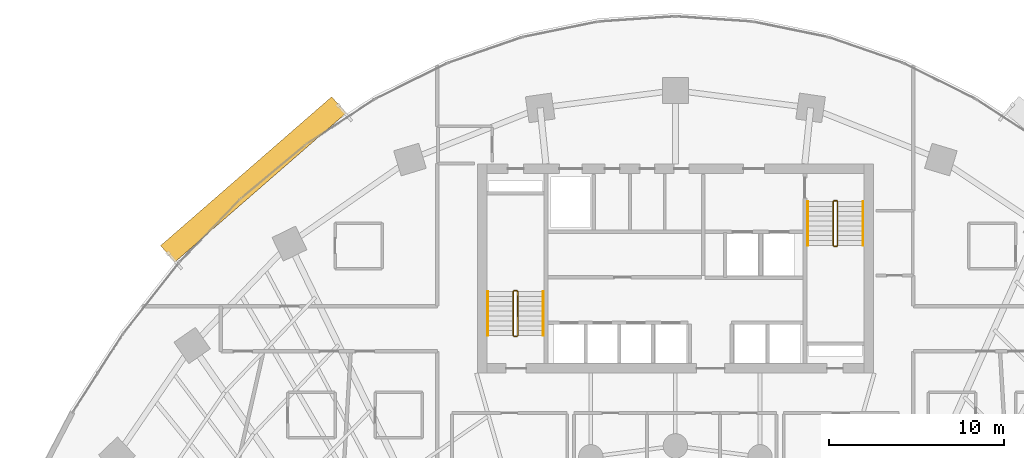
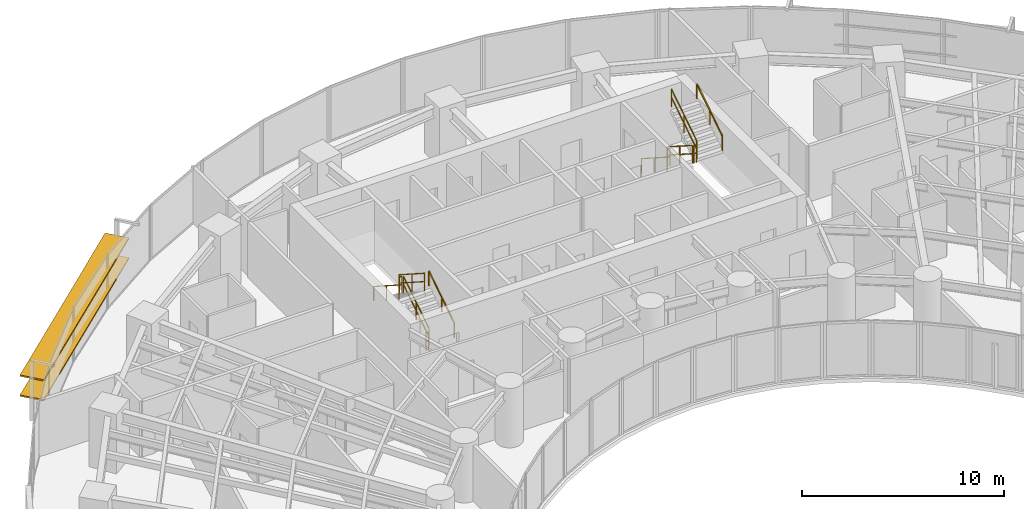
# One storey, part 16 of 17: 12 railings, 2 shading devices.
"""IFC4 building model written with IfcOpenShell, lengths in metres."""

import ifcopenshell
import ifcopenshell.guid

model = None  # the IFC model being written
_history = None  # IfcOwnerHistory: only IFC2X3 demands one
_inside = {}  # id of a spatial element -> (the spatial element, [elements in it])
_under = {}  # id of a project, library or spatial element -> (it, [spatial elements below it])
_declared = {}  # id of a project -> (the project, [libraries it declares])
_typed = {}  # id of a type object -> (the type object, [elements of that type])
_made_of = {}  # id of a material, layer set ... -> (it, [elements and type objects made of it])


def new_model(schema):
    """Start an empty IFC model of exactly this schema.

    Asked for "IFC4X3", IfcOpenShell would pick the latest addendum, in which some entities
    have other attributes; the version numbers below select the first issue.
    IFC2X3 requires an IfcOwnerHistory on every rooted entity: one is made here for all.
    """
    global model, _history
    if schema == "IFC4X3":
        model = ifcopenshell.file(schema_version=(4, 3, 0, 0))
    else:
        model = ifcopenshell.file(schema=schema)
    _inside.clear()
    _under.clear()
    _declared.clear()
    _typed.clear()
    _made_of.clear()
    _history = None
    if model.schema == "IFC2X3":
        org = make("IfcOrganization", Name="unknown")
        user = make(
            "IfcPersonAndOrganization",
            ThePerson=make("IfcPerson", FamilyName="unknown"),
            TheOrganization=org,
        )
        app = make(
            "IfcApplication",
            ApplicationDeveloper=org,
            Version="unknown",
            ApplicationFullName="unknown",
            ApplicationIdentifier="unknown",
        )
        _history = make(
            "IfcOwnerHistory",
            OwningUser=user,
            OwningApplication=app,
            ChangeAction="ADDED",
            CreationDate=0,
        )
    return model


def make(cls, **values):
    """One entity of the class cls with the attributes given. An attribute that is None is left unset."""
    return model.create_entity(
        cls, **{name: value for name, value in values.items() if value is not None}
    )


def rooted(cls, **values):
    """An entity with a GlobalId (a new one), such as an element, a storey or a relation."""
    return make(cls, GlobalId=ifcopenshell.guid.new(), OwnerHistory=_history, **values)


def si_unit(unit_type, name, prefix=None):
    """IfcSIUnit, for example si_unit("LENGTHUNIT", "METRE", prefix="MILLI")."""
    return make("IfcSIUnit", UnitType=unit_type, Prefix=prefix, Name=name)


def assignment(units):
    """IfcUnitAssignment: the units of a project."""
    return None if units is None else make("IfcUnitAssignment", Units=units)


def point(xyz):
    """IfcCartesianPoint."""
    return None if xyz is None else make("IfcCartesianPoint", Coordinates=xyz)


def direction(xyz):
    """IfcDirection."""
    return None if xyz is None else make("IfcDirection", DirectionRatios=xyz)


def frame(location, z_axis=None, x_axis=None):
    """IfcAxis2Placement3D, a coordinate frame: its origin and axes. An axis left out is left unset."""
    return make(
        "IfcAxis2Placement3D",
        Location=point(location),
        Axis=direction(z_axis),
        RefDirection=direction(x_axis),
    )


def frame_2d(location, x_axis=None):
    """IfcAxis2Placement2D, a coordinate frame in the plane: its origin and x axis."""
    return make(
        "IfcAxis2Placement2D", Location=point(location), RefDirection=direction(x_axis)
    )


def origin():
    """The frame at (0, 0, 0) with its axes left unset."""
    return frame((0.0, 0.0, 0.0))


def origin_2d():
    """The frame at (0, 0) in the plane with its x axis left unset."""
    return frame_2d((0.0, 0.0))


def place(relative_to, where):
    """IfcLocalPlacement: puts the frame where relative to a parent placement (None: the world)."""
    return make(
        "IfcLocalPlacement", PlacementRelTo=relative_to, RelativePlacement=where
    )


def context(
    kind, dimensions, precision=None, world=None, true_north=None, identifier=None
):
    """IfcGeometricRepresentationContext, for example the 3D "Model" context."""
    return make(
        "IfcGeometricRepresentationContext",
        ContextIdentifier=identifier,
        ContextType=kind,
        CoordinateSpaceDimension=dimensions,
        Precision=precision,
        WorldCoordinateSystem=world,
        TrueNorth=true_north,
    )


def subcontext(parent, identifier, kind, view, scale=None):
    """IfcGeometricRepresentationSubContext, for example "Body" below "Model"."""
    return make(
        "IfcGeometricRepresentationSubContext",
        ContextIdentifier=identifier,
        ContextType=kind,
        ParentContext=parent,
        TargetScale=scale,
        TargetView=view,
    )


def project(units=None, contexts=None):
    """IfcProject with its units and contexts."""
    return rooted(
        "IfcProject",
        Name="project",
        RepresentationContexts=contexts,
        UnitsInContext=assignment(units),
    )


def spatial(cls, under=None, at=None, **own):
    """A site, building, storey or space (cls), placed at a placement, below another one or the project."""
    s = rooted(cls, ObjectPlacement=at, **own)
    if under is not None:
        _under.setdefault(under.id(), (under, []))[1].append(s)
    return s


def profile(cls, at=None, kind="AREA", **sizes):
    """A parametric profile (cls). Its sizes go by their IFC names, for example OverallWidth=200.0."""
    return make(cls, ProfileType=kind, Position=at, **sizes)


def rectangle(**sizes):
    """IfcRectangleProfileDef."""
    return profile("IfcRectangleProfileDef", **sizes)


def extrude(swept, where, along, depth):
    """IfcExtrudedAreaSolid: the profile swept, set in the frame where, extruded along a direction by depth."""
    return make(
        "IfcExtrudedAreaSolid",
        SweptArea=swept,
        Position=where,
        ExtrudedDirection=direction(along),
        Depth=depth,
    )


def shape(context_of_items, identifier, shape_type, items):
    """IfcShapeRepresentation: the items that make up one representation, for example the "Body"."""
    return make(
        "IfcShapeRepresentation",
        ContextOfItems=context_of_items,
        RepresentationIdentifier=identifier,
        RepresentationType=shape_type,
        Items=items,
    )


def source(mapping_origin, context_of_items, identifier, shape_type, items):
    """IfcRepresentationMap: a shape defined once, which mapped items show again and again."""
    return make(
        "IfcRepresentationMap",
        MappingOrigin=mapping_origin,
        MappedRepresentation=shape(context_of_items, identifier, shape_type, items),
    )


def transform(
    local_origin,
    x_axis=None,
    y_axis=None,
    z_axis=None,
    scale=None,
    scale2=None,
    scale3=None,
    uniform=True,
):
    """IfcCartesianTransformationOperator3D, or its non-uniform kind. x_axis, y_axis, z_axis: its Axis1, 2, 3."""
    if uniform:
        return make(
            "IfcCartesianTransformationOperator3D",
            Axis1=direction(x_axis),
            Axis2=direction(y_axis),
            LocalOrigin=point(local_origin),
            Scale=scale,
            Axis3=direction(z_axis),
        )
    return make(
        "IfcCartesianTransformationOperator3DnonUniform",
        Axis1=direction(x_axis),
        Axis2=direction(y_axis),
        LocalOrigin=point(local_origin),
        Scale=scale,
        Axis3=direction(z_axis),
        Scale2=scale2,
        Scale3=scale3,
    )


def mapped(mapping_source, mapping_target):
    """IfcMappedItem: shows the shape of a source again, moved by a transform."""
    return make(
        "IfcMappedItem", MappingSource=mapping_source, MappingTarget=mapping_target
    )


def material(Name=None, Category=None):
    """IfcMaterial."""
    return make("IfcMaterial", Name=Name, Category=Category)


def material_profile(
    of_material, cross_section, Name=None, Category=None, Priority=None
):
    """IfcMaterialProfile: a cross section and its material."""
    return make(
        "IfcMaterialProfile",
        Name=Name,
        Material=of_material,
        Profile=cross_section,
        Priority=Priority,
        Category=Category,
    )


def profile_set(profiles, Name=None, composite=None):
    """IfcMaterialProfileSet."""
    return make(
        "IfcMaterialProfileSet",
        Name=Name,
        MaterialProfiles=profiles,
        CompositeProfile=composite,
    )


def made_of(thing, what):
    """Note that an element or type object is made of a material, layer set ...; save() writes the relation."""
    if what is not None:
        _made_of.setdefault(what.id(), (what, []))[1].append(thing)
    return thing


def type_object(cls, material=None, **own):
    """A type object (cls), such as IfcWallType, which elements share."""
    return made_of(rooted(cls, **own), material)


def type_shapes(of_type, sources):
    """Give a type object the sources (RepresentationMaps) that its elements show as mapped items."""
    of_type.RepresentationMaps = sources


def element(
    cls,
    number,
    at=None,
    inside=None,
    cuts=None,
    type_object=None,
    material=None,
    context=None,
    identifier="Body",
    shape_type=None,
    held_by="IfcProductDefinitionShape",
    body=None,
    shapes=None,
    **own,
):
    """One element of the class cls, such as IfcWall. Its Tag is "e" and its number.

    at: its placement. inside: the storey or other place that contains it. cuts: it is an
    opening in that element (IfcRelVoidsElement). A single representation is given by context,
    identifier, shape_type and body (its items); several are given by shapes. held_by: the class
    of the entity that holds the representations. save() writes the other relations.
    """
    e = rooted(cls, Tag="e%d" % number, ObjectPlacement=at, **own)
    if body is not None:
        shapes = [shape(context, identifier, shape_type, body)]
    if shapes is not None:
        e.Representation = make(held_by, Representations=shapes)
    if inside is not None:
        _inside.setdefault(inside.id(), (inside, []))[1].append(e)
    if cuts is not None:
        rooted(
            "IfcRelVoidsElement", RelatingBuildingElement=cuts, RelatedOpeningElement=e
        )
    if type_object is not None:
        _typed.setdefault(type_object.id(), (type_object, []))[1].append(e)
    return made_of(e, material)


def aggregate(whole, parts):
    """IfcRelAggregates: a whole, such as a stair, and the parts it consists of."""
    return rooted("IfcRelAggregates", RelatingObject=whole, RelatedObjects=parts)


def save(model, path):
    """Write the relations noted so far, then the file.

    IfcRelAggregates (storeys below a building ...), IfcRelContainedInSpatialStructure (elements
    in a storey), IfcRelDefinesByType, IfcRelAssociatesMaterial and IfcRelDeclares: one each for
    every whole, place, type object, material and project.
    """
    for whole, parts in _under.values():
        aggregate(whole, parts)
    for where, things in _inside.values():
        rooted(
            "IfcRelContainedInSpatialStructure",
            RelatedElements=things,
            RelatingStructure=where,
        )
    for kind, things in _typed.values():
        rooted("IfcRelDefinesByType", RelatedObjects=things, RelatingType=kind)
    for what, things in _made_of.values():
        rooted("IfcRelAssociatesMaterial", RelatedObjects=things, RelatingMaterial=what)
    for by, libraries in _declared.values():
        rooted("IfcRelDeclares", RelatingContext=by, RelatedDefinitions=libraries)
    model.write(path)


model = new_model("IFC4")

# Units and contexts
model_context = context("Model", 3, precision=1e-05, world=origin(), true_north=direction((0.0, 1.0)))
body_context = subcontext(model_context, "Body", "Model", "MODEL_VIEW")
ifc_project = project(units=[si_unit("LENGTHUNIT", "METRE"), si_unit("AREAUNIT", "SQUARE_METRE"), si_unit("VOLUMEUNIT", "CUBIC_METRE"), si_unit("PLANEANGLEUNIT", "RADIAN"), si_unit("MASSUNIT", "GRAM", prefix="KILO")], contexts=[model_context])

# Site, building, storey
site_placement = place(None, origin())
site = spatial("IfcSite", under=ifc_project, at=site_placement, CompositionType="ELEMENT")
building_placement = place(site_placement, origin())
building = spatial("IfcBuilding", under=site, at=building_placement, Name="Breltana Convention Tower", CompositionType="ELEMENT")
storey_placement = place(building_placement, frame((0.0, 0.0, 78.60009765625)))
storey = spatial("IfcBuildingStorey", under=building, at=storey_placement, Name="L18", CompositionType="ELEMENT", Elevation=78.60009765625)

# Railings
ifc_material_1 = material(Name="Steel S275 Painted", Category="steel")
railing_type_1 = type_object("IfcRailingType", Name="RL-STAIR-GUARD-1100", PredefinedType="GUARDRAIL", material=ifc_material_1)
railing_1_placement = place(storey_placement, frame((38.9599609375, 62.360107421875, 0.179931640625)))
element("IfcRailing", 1, at=railing_1_placement, inside=storey, type_object=railing_type_1, Name="L18 ST-1 stair guard 1", PredefinedType="GUARDRAIL", context=body_context, shape_type="SweptSolid", body=[
    extrude(rectangle(XDim=0.048095703125, YDim=0.048095703125, at=origin_2d()), frame((0.0, 0.0, 1.076171875), z_axis=(0.0, 0.841175827307, 0.540761710511), x_axis=(-1.0, 0.0, 0.0)), (0.0, 0.0, 1.0), 2.99560546875),
    extrude(rectangle(XDim=0.048095703125, YDim=0.048095703125, at=origin_2d()), frame((0.0, 0.0, 0.572021484375), z_axis=(0.0, 0.841175827307, 0.540761710511), x_axis=(-1.0, 0.0, 0.0)), (0.0, 0.0, 1.0), 2.99560546875),
    extrude(rectangle(XDim=0.0419921875, YDim=0.0419921875, at=origin_2d()), origin(), (0.0, 0.0, 1.0), 1.052001953125),
    extrude(rectangle(XDim=0.0419921875, YDim=0.0419921875, at=origin_2d()), frame((0.0, 1.259765625, 0.81005859375)), (0.0, 0.0, 1.0), 1.052001953125),
    extrude(rectangle(XDim=0.0419921875, YDim=0.0419921875, at=origin_2d()), frame((0.0, 2.519775390625, 1.619873046875)), (0.0, 0.0, 1.0), 1.052001953125),
])
railing_2_placement = place(storey_placement, frame((38.909912109375, 64.929931640625, 1.7998046875)))
element("IfcRailing", 2, at=railing_2_placement, inside=storey, type_object=railing_type_1, Name="L18 ST-1 stair guard 2", PredefinedType="GUARDRAIL", context=body_context, shape_type="SweptSolid", body=[
    extrude(rectangle(XDim=0.048095703125, YDim=0.048095703125, at=origin_2d()), frame((0.0, 0.0, 1.076171875), z_axis=(-1.0, 0.0, 0.0), x_axis=(0.0, -1.0, 0.0)), (0.0, 0.0, 1.0), 0.14990234375),
    extrude(rectangle(XDim=0.048095703125, YDim=0.048095703125, at=origin_2d()), frame((0.0, 0.0, 0.572021484375), z_axis=(-1.0, 0.0, 0.0), x_axis=(0.0, -1.0, 0.0)), (0.0, 0.0, 1.0), 0.14990234375),
    extrude(rectangle(XDim=0.0419921875, YDim=0.0419921875, at=origin_2d()), origin(), (0.0, 0.0, 1.0), 1.052001953125),
    extrude(rectangle(XDim=0.0419921875, YDim=0.0419921875, at=origin_2d()), frame((-0.14990234375, 0.0, 0.0)), (0.0, 0.0, 1.0), 1.052001953125),
])
railing_3_placement = place(storey_placement, frame((38.7099609375, 64.8798828125, 1.97998046875)))
element("IfcRailing", 3, at=railing_3_placement, inside=storey, type_object=railing_type_1, Name="L18 ST-1 stair guard 3", PredefinedType="GUARDRAIL", context=body_context, shape_type="SweptSolid", body=[
    extrude(rectangle(XDim=0.048095703125, YDim=0.048095703125, at=origin_2d()), frame((0.0, 0.0, 1.076171875), z_axis=(0.0, -0.841175827307, 0.540761710511), x_axis=(1.0, 0.0, 0.0)), (0.0, 0.0, 1.0), 2.99560546875),
    extrude(rectangle(XDim=0.048095703125, YDim=0.048095703125, at=origin_2d()), frame((0.0, 0.0, 0.572021484375), z_axis=(0.0, -0.841175827307, 0.540761710511), x_axis=(1.0, 0.0, 0.0)), (0.0, 0.0, 1.0), 2.99560546875),
    extrude(rectangle(XDim=0.0419921875, YDim=0.0419921875, at=origin_2d()), origin(), (0.0, 0.0, 1.0), 1.052001953125),
    extrude(rectangle(XDim=0.0419921875, YDim=0.0419921875, at=origin_2d()), frame((0.0, -1.259765625, 0.81005859375)), (0.0, 0.0, 1.0), 1.052001953125),
    extrude(rectangle(XDim=0.0419921875, YDim=0.0419921875, at=origin_2d()), frame((0.0, -2.519775390625, 1.619873046875)), (0.0, 0.0, 1.0), 1.052001953125),
])
railing_4_placement = place(storey_placement, frame((38.909912109375, 62.31005859375, 0.0)))
element("IfcRailing", 4, at=railing_4_placement, inside=storey, type_object=railing_type_1, Name="L18 ST-1 stair guard 4", PredefinedType="GUARDRAIL", context=body_context, shape_type="SweptSolid", body=[
    extrude(rectangle(XDim=0.048095703125, YDim=0.048095703125, at=origin_2d()), frame((0.0, 0.0, 1.076171875), z_axis=(-1.0, 0.0, 0.0), x_axis=(0.0, -1.0, 0.0)), (0.0, 0.0, 1.0), 0.14990234375),
    extrude(rectangle(XDim=0.048095703125, YDim=0.048095703125, at=origin_2d()), frame((0.0, 0.0, 0.572021484375), z_axis=(-1.0, 0.0, 0.0), x_axis=(0.0, -1.0, 0.0)), (0.0, 0.0, 1.0), 0.14990234375),
    extrude(rectangle(XDim=0.0419921875, YDim=0.0419921875, at=origin_2d()), origin(), (0.0, 0.0, 1.0), 1.052001953125),
    extrude(rectangle(XDim=0.0419921875, YDim=0.0419921875, at=origin_2d()), frame((-0.14990234375, 0.0, 0.0)), (0.0, 0.0, 1.0), 1.052001953125),
])
railing_5_placement = place(storey_placement, frame((57.0400390625, 70.0400390625, 0.179931640625)))
element("IfcRailing", 5, at=railing_5_placement, inside=storey, type_object=railing_type_1, Name="L18 ST-2 stair guard 1", PredefinedType="GUARDRAIL", context=body_context, shape_type="SweptSolid", body=[
    extrude(rectangle(XDim=0.048095703125, YDim=0.048095703125, at=origin_2d()), frame((0.0, 0.0, 1.076171875), z_axis=(0.0, -0.841199657755, 0.540724639528), x_axis=(1.0, 0.0, 0.0)), (0.0, 0.0, 1.0), 2.995849609375),
    extrude(rectangle(XDim=0.048095703125, YDim=0.048095703125, at=origin_2d()), frame((0.0, 0.0, 0.572021484375), z_axis=(0.0, -0.841199657755, 0.540724639528), x_axis=(1.0, 0.0, 0.0)), (0.0, 0.0, 1.0), 2.995849609375),
    extrude(rectangle(XDim=0.0419921875, YDim=0.0419921875, at=origin_2d()), origin(), (0.0, 0.0, 1.0), 1.052001953125),
    extrude(rectangle(XDim=0.0419921875, YDim=0.0419921875, at=origin_2d()), frame((0.0, -1.260009765625, 0.81005859375)), (0.0, 0.0, 1.0), 1.052001953125),
    extrude(rectangle(XDim=0.0419921875, YDim=0.0419921875, at=origin_2d()), frame((0.0, -2.52001953125, 1.619873046875)), (0.0, 0.0, 1.0), 1.052001953125),
])
railing_6_placement = place(storey_placement, frame((57.090087890625, 67.469970703125, 1.7998046875)))
element("IfcRailing", 6, at=railing_6_placement, inside=storey, type_object=railing_type_1, Name="L18 ST-2 stair guard 2", PredefinedType="GUARDRAIL", context=body_context, shape_type="SweptSolid", body=[
    extrude(rectangle(XDim=0.048095703125, YDim=0.048095703125, at=origin_2d()), frame((0.0, 0.0, 1.076171875), z_axis=(1.0, 0.0, 0.0), x_axis=(0.0, 1.0, 0.0)), (0.0, 0.0, 1.0), 0.14990234375),
    extrude(rectangle(XDim=0.048095703125, YDim=0.048095703125, at=origin_2d()), frame((0.0, 0.0, 0.572021484375), z_axis=(1.0, 0.0, 0.0), x_axis=(0.0, 1.0, 0.0)), (0.0, 0.0, 1.0), 0.14990234375),
    extrude(rectangle(XDim=0.0419921875, YDim=0.0419921875, at=origin_2d()), origin(), (0.0, 0.0, 1.0), 1.052001953125),
    extrude(rectangle(XDim=0.0419921875, YDim=0.0419921875, at=origin_2d()), frame((0.14990234375, 0.0, 0.0)), (0.0, 0.0, 1.0), 1.052001953125),
])
railing_7_placement = place(storey_placement, frame((57.2900390625, 67.52001953125, 1.97998046875)))
element("IfcRailing", 7, at=railing_7_placement, inside=storey, type_object=railing_type_1, Name="L18 ST-2 stair guard 3", PredefinedType="GUARDRAIL", context=body_context, shape_type="SweptSolid", body=[
    extrude(rectangle(XDim=0.048095703125, YDim=0.048095703125, at=origin_2d()), frame((0.0, 0.0, 1.076171875), z_axis=(0.0, 0.841199657755, 0.540724639528), x_axis=(-1.0, 0.0, 0.0)), (0.0, 0.0, 1.0), 2.995849609375),
    extrude(rectangle(XDim=0.048095703125, YDim=0.048095703125, at=origin_2d()), frame((0.0, 0.0, 0.572021484375), z_axis=(0.0, 0.841199657755, 0.540724639528), x_axis=(-1.0, 0.0, 0.0)), (0.0, 0.0, 1.0), 2.995849609375),
    extrude(rectangle(XDim=0.0419921875, YDim=0.0419921875, at=origin_2d()), origin(), (0.0, 0.0, 1.0), 1.052001953125),
    extrude(rectangle(XDim=0.0419921875, YDim=0.0419921875, at=origin_2d()), frame((0.0, 1.260009765625, 0.81005859375)), (0.0, 0.0, 1.0), 1.052001953125),
    extrude(rectangle(XDim=0.0419921875, YDim=0.0419921875, at=origin_2d()), frame((0.0, 2.52001953125, 1.619873046875)), (0.0, 0.0, 1.0), 1.052001953125),
])
railing_8_placement = place(storey_placement, frame((57.090087890625, 70.090087890625, 0.0)))
element("IfcRailing", 8, at=railing_8_placement, inside=storey, type_object=railing_type_1, Name="L18 ST-2 stair guard 4", PredefinedType="GUARDRAIL", context=body_context, shape_type="SweptSolid", body=[
    extrude(rectangle(XDim=0.048095703125, YDim=0.048095703125, at=origin_2d()), frame((0.0, 0.0, 1.076171875), z_axis=(1.0, 0.0, 0.0), x_axis=(0.0, 1.0, 0.0)), (0.0, 0.0, 1.0), 0.14990234375),
    extrude(rectangle(XDim=0.048095703125, YDim=0.048095703125, at=origin_2d()), frame((0.0, 0.0, 0.572021484375), z_axis=(1.0, 0.0, 0.0), x_axis=(0.0, 1.0, 0.0)), (0.0, 0.0, 1.0), 0.14990234375),
    extrude(rectangle(XDim=0.0419921875, YDim=0.0419921875, at=origin_2d()), origin(), (0.0, 0.0, 1.0), 1.052001953125),
    extrude(rectangle(XDim=0.0419921875, YDim=0.0419921875, at=origin_2d()), frame((0.14990234375, 0.0, 0.0)), (0.0, 0.0, 1.0), 1.052001953125),
])
ifc_material_2 = material(Name="Stainless Steel 316L", Category="steel")
railing_type_2 = type_object("IfcRailingType", Name="RL-STAIR-HANDRAIL-900", PredefinedType="HANDRAIL", material=ifc_material_2)
railing_9_placement = place(storey_placement, frame((40.419921875, 62.360107421875, 0.179931640625)))
element("IfcRailing", 9, at=railing_9_placement, inside=storey, type_object=railing_type_2, Name="L18 ST-1 stair handrail 1", PredefinedType="HANDRAIL", context=body_context, shape_type="SweptSolid", body=[
    extrude(rectangle(XDim=0.048095703125, YDim=0.048095703125, at=origin_2d()), frame((0.0, 0.0, 0.8759765625), z_axis=(0.0, 0.841175827307, 0.540761710511), x_axis=(-1.0, 0.0, 0.0)), (0.0, 0.0, 1.0), 2.99560546875),
    extrude(rectangle(XDim=0.0419921875, YDim=0.0419921875, at=origin_2d()), origin(), (0.0, 0.0, 1.0), 0.851806640625),
    extrude(rectangle(XDim=0.0419921875, YDim=0.0419921875, at=origin_2d()), frame((0.0, 1.259765625, 0.81005859375)), (0.0, 0.0, 1.0), 0.851806640625),
    extrude(rectangle(XDim=0.0419921875, YDim=0.0419921875, at=origin_2d()), frame((0.0, 2.519775390625, 1.619873046875)), (0.0, 0.0, 1.0), 0.851806640625),
])
railing_10_placement = place(storey_placement, frame((37.25, 64.8798828125, 1.97998046875)))
element("IfcRailing", 10, at=railing_10_placement, inside=storey, type_object=railing_type_2, Name="L18 ST-1 stair handrail 2", PredefinedType="HANDRAIL", context=body_context, shape_type="SweptSolid", body=[
    extrude(rectangle(XDim=0.048095703125, YDim=0.048095703125, at=origin_2d()), frame((0.0, 0.0, 0.8759765625), z_axis=(0.0, -0.841175827307, 0.540761710511), x_axis=(1.0, 0.0, 0.0)), (0.0, 0.0, 1.0), 2.99560546875),
    extrude(rectangle(XDim=0.0419921875, YDim=0.0419921875, at=origin_2d()), origin(), (0.0, 0.0, 1.0), 0.851806640625),
    extrude(rectangle(XDim=0.0419921875, YDim=0.0419921875, at=origin_2d()), frame((0.0, -1.259765625, 0.81005859375)), (0.0, 0.0, 1.0), 0.851806640625),
    extrude(rectangle(XDim=0.0419921875, YDim=0.0419921875, at=origin_2d()), frame((0.0, -2.519775390625, 1.619873046875)), (0.0, 0.0, 1.0), 0.851806640625),
])
railing_11_placement = place(storey_placement, frame((55.580078125, 70.0400390625, 0.179931640625)))
element("IfcRailing", 11, at=railing_11_placement, inside=storey, type_object=railing_type_2, Name="L18 ST-2 stair handrail 1", PredefinedType="HANDRAIL", context=body_context, shape_type="SweptSolid", body=[
    extrude(rectangle(XDim=0.048095703125, YDim=0.048095703125, at=origin_2d()), frame((0.0, 0.0, 0.8759765625), z_axis=(0.0, -0.841199657755, 0.540724639528), x_axis=(1.0, 0.0, 0.0)), (0.0, 0.0, 1.0), 2.995849609375),
    extrude(rectangle(XDim=0.0419921875, YDim=0.0419921875, at=origin_2d()), origin(), (0.0, 0.0, 1.0), 0.851806640625),
    extrude(rectangle(XDim=0.0419921875, YDim=0.0419921875, at=origin_2d()), frame((0.0, -1.260009765625, 0.81005859375)), (0.0, 0.0, 1.0), 0.851806640625),
    extrude(rectangle(XDim=0.0419921875, YDim=0.0419921875, at=origin_2d()), frame((0.0, -2.52001953125, 1.619873046875)), (0.0, 0.0, 1.0), 0.851806640625),
])
railing_12_placement = place(storey_placement, frame((58.75, 67.52001953125, 1.97998046875)))
element("IfcRailing", 12, at=railing_12_placement, inside=storey, type_object=railing_type_2, Name="L18 ST-2 stair handrail 2", PredefinedType="HANDRAIL", context=body_context, shape_type="SweptSolid", body=[
    extrude(rectangle(XDim=0.048095703125, YDim=0.048095703125, at=origin_2d()), frame((0.0, 0.0, 0.8759765625), z_axis=(0.0, 0.841199657755, 0.540724639528), x_axis=(-1.0, 0.0, 0.0)), (0.0, 0.0, 1.0), 2.995849609375),
    extrude(rectangle(XDim=0.0419921875, YDim=0.0419921875, at=origin_2d()), origin(), (0.0, 0.0, 1.0), 0.851806640625),
    extrude(rectangle(XDim=0.0419921875, YDim=0.0419921875, at=origin_2d()), frame((0.0, 1.260009765625, 0.81005859375)), (0.0, 0.0, 1.0), 0.851806640625),
    extrude(rectangle(XDim=0.0419921875, YDim=0.0419921875, at=origin_2d()), frame((0.0, 2.52001953125, 1.619873046875)), (0.0, 0.0, 1.0), 0.851806640625),
])

# Shading devices
ifc_material_3 = material(Name="Limestone Warm Buff Honed", Category="masonry")
ifc_material_profile = material_profile(ifc_material_3, rectangle(XDim=1.25, YDim=0.090087890625, at=origin_2d()), Name="STN-LVR-1250X90")
ifc_profile_set = profile_set([ifc_material_profile], Name="Limestone Warm Buff Honed")
shading_device_type = type_object("IfcShadingDeviceType", Name="SHD-OUTER-SKIN-LIMESTONE-1250", PredefinedType="JALOUSIE", material=ifc_profile_set)
shared_shape = source(origin(), body_context, "Body", "SweptSolid", [
    extrude(rectangle(XDim=1.25, YDim=0.090087890625, at=origin_2d()), origin(), (0.0, 0.0, 1.0), 12.99462890625),
])
type_shapes(shading_device_type, [shared_shape])
for number, where, z_axis, x_axis, name in (
    (13, (18.9130859375, 67.039794921875, 1.20947265625), (0.754353477941, 0.656468453407, 0.0), (-0.656468453407, 0.754353477941, 0.0), "L18 outer skin warm limestone louvre 1.1"),
    (14, (18.9130859375, 67.039794921875, 2.419189453125), (0.754353477941, 0.656468453407, 0.0), (-0.656468453407, 0.754353477941, 0.0), "L18 outer skin warm limestone louvre 1.2"),
):
    element("IfcShadingDevice", number, at=place(storey_placement, frame(where, z_axis=z_axis, x_axis=x_axis)), inside=storey, type_object=shading_device_type, Name=name, PredefinedType="JALOUSIE", context=body_context, shape_type="MappedRepresentation", body=[
        mapped(shared_shape, transform((0.0, 0.0, 0.0), scale=1.0)),
    ])

save(model, "model.ifc")
